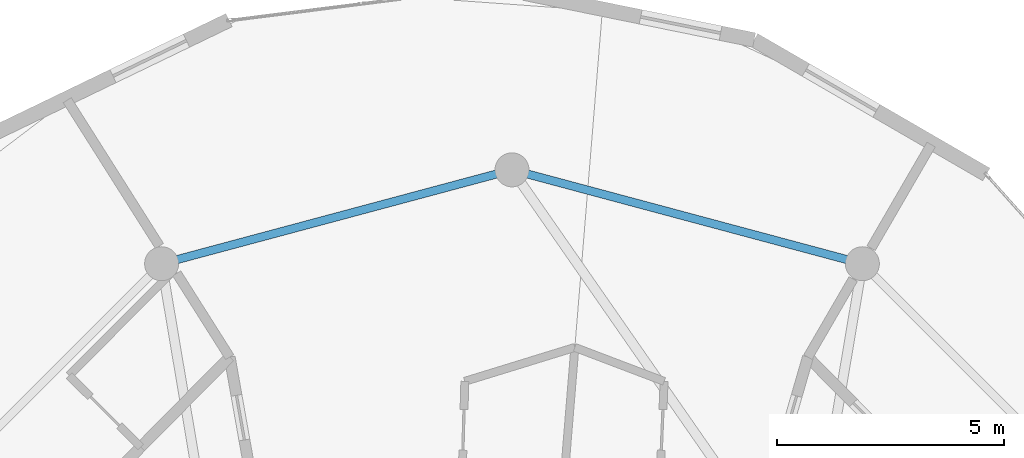
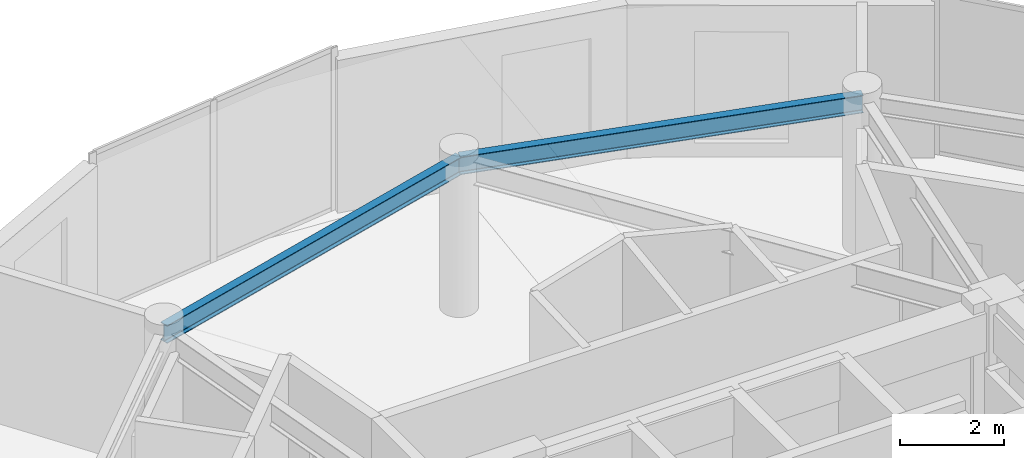
# One storey, part 14 of 23: 2 beams.
"""IFC4 building model written with IfcOpenShell, lengths in metres."""

from ifc_helpers import new_model, si_unit, direction, frame, origin, origin_2d, place, context, subcontext, project, spatial, i_section, extrude, material, material_profile, profile_set, type_object, element, save


model = new_model("IFC4")

# Units and contexts
model_context = context("Model", 3, precision=1e-05, world=origin(), true_north=direction((0.0, 1.0)))
body_context = subcontext(model_context, "Body", "Model", "MODEL_VIEW")
ifc_project = project(units=[si_unit("LENGTHUNIT", "METRE"), si_unit("AREAUNIT", "SQUARE_METRE"), si_unit("VOLUMEUNIT", "CUBIC_METRE"), si_unit("PLANEANGLEUNIT", "RADIAN"), si_unit("MASSUNIT", "GRAM", prefix="KILO")], contexts=[model_context])

# Site, building, storey
site_placement = place(None, origin())
site = spatial("IfcSite", under=ifc_project, at=site_placement, CompositionType="ELEMENT")
building_placement = place(site_placement, origin())
building = spatial("IfcBuilding", under=site, at=building_placement, Name="Solvirekh Grand Hotel", CompositionType="ELEMENT")
storey_placement = place(building_placement, frame((0.0, 0.0, 285.800048828125)))
storey = spatial("IfcBuildingStorey", under=building, at=storey_placement, Name="L74", CompositionType="ELEMENT", Elevation=285.800048828125)

# Beams
ifc_material = material(Name="Steel S355", Category="steel")
ifc_material_profile = material_profile(ifc_material, i_section(OverallWidth=0.180908203125, OverallDepth=0.4169921875, WebThickness=0.010009765625, FlangeThickness=0.01611328125, FilletRadius=0.011962890625, at=origin_2d()), Name="W410X85")
ifc_profile_set = profile_set([ifc_material_profile], Name="Steel S355")
beam_type = type_object("IfcBeamType", Name="Spandrel_Ring_W410", PredefinedType="SPANDREL", material=ifc_profile_set)
for number, where, z_axis, x_axis, name in (
    (1, (7.72509765625, 13.3798828125, 3.36083984375), (-0.965921616143, 0.258834757072, 0.0), (-0.258834757072, -0.965921616143, 0.0), "L74 perimeter spandrel beam 3"),
    (2, (0.0, 15.449951171875, 3.36083984375), (-0.965921616143, -0.258834757072, 0.0), (0.258834757072, -0.965921616143, 0.0), "L74 perimeter spandrel beam 4"),
):
    element("IfcBeam", number, at=place(storey_placement, frame(where, z_axis=z_axis, x_axis=x_axis)), inside=storey, type_object=beam_type, Name=name, PredefinedType="SPANDREL", context=body_context, shape_type="SweptSolid", body=[
        extrude(i_section(OverallWidth=0.180908203125, OverallDepth=0.4169921875, WebThickness=0.010009765625, FlangeThickness=0.01611328125, FilletRadius=0.011962890625, at=origin_2d()), origin(), (0.0, 0.0, 1.0), 7.99755859375),
    ])

save(model, "model.ifc")
